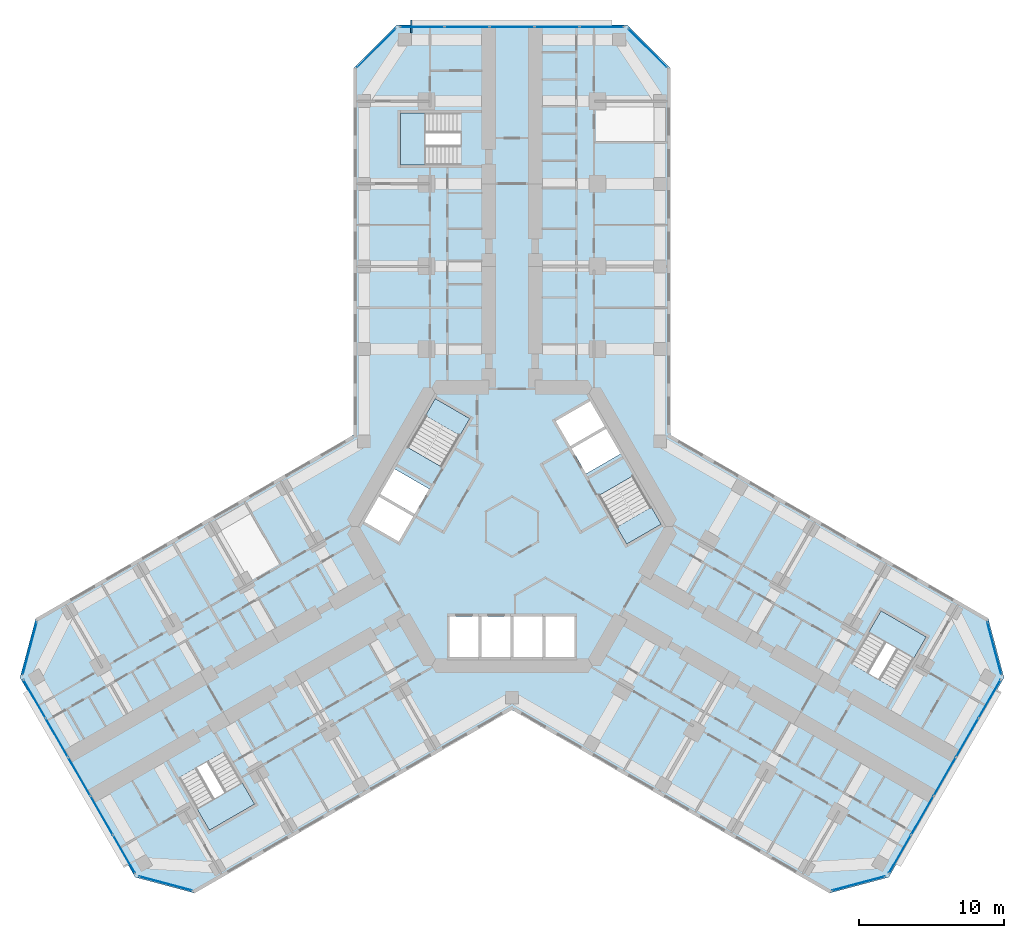
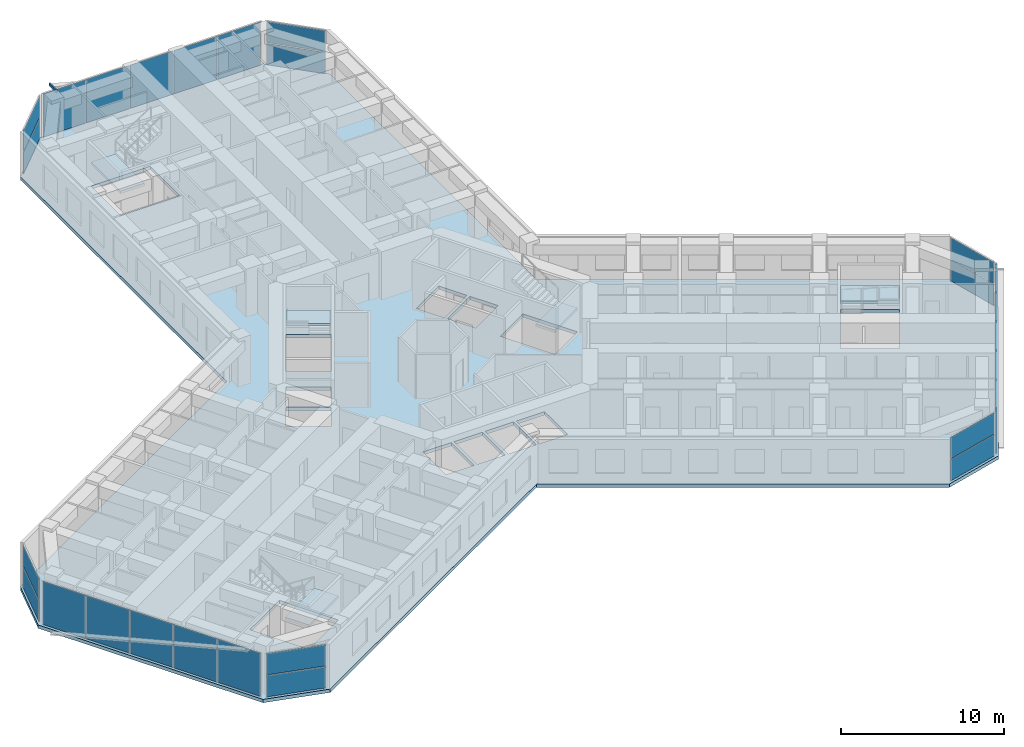
# One storey, part 9 of 22: 27 plates, 6 slabs, 1 member, 14 elements without a shape of their own.
"""IFC4 building model written with IfcOpenShell, lengths in metres."""

from ifc_helpers import new_model, si_unit, direction, frame, origin, origin_2d, place, context, subcontext, project, spatial, polyline, rectangle, hollow_rectangle, outline, extrude, material, layer, layer_set, material_profile, profile_set, type_object, element, aggregate, save


model = new_model("IFC4")

# Units and contexts
model_context = context("Model", 3, precision=1e-05, world=origin(), true_north=direction((0.0, 1.0)))
body_context = subcontext(model_context, "Body", "Model", "MODEL_VIEW")
ifc_project = project(units=[si_unit("LENGTHUNIT", "METRE"), si_unit("AREAUNIT", "SQUARE_METRE"), si_unit("VOLUMEUNIT", "CUBIC_METRE"), si_unit("PLANEANGLEUNIT", "RADIAN"), si_unit("MASSUNIT", "GRAM", prefix="KILO")], contexts=[model_context])

# Site, building, storey
site_placement = place(None, origin())
site = spatial("IfcSite", under=ifc_project, at=site_placement, CompositionType="ELEMENT")
building_placement = place(site_placement, origin())
building = spatial("IfcBuilding", under=site, at=building_placement, Name="Kosmar Iwan School Tower", CompositionType="ELEMENT")
storey_placement = place(building_placement, frame((0.0, 0.0, 91.60009765625)))
storey = spatial("IfcBuildingStorey", under=building, at=storey_placement, Name="L22", CompositionType="ELEMENT", Elevation=91.60009765625)

# Member
ifc_material_1 = material(Name="Steel S355", Category="steel")
ifc_material_profile = material_profile(ifc_material_1, hollow_rectangle(XDim=0.10009765625, YDim=0.199951171875, WallThickness=0.008056640625, at=origin_2d()), Name="RHS 200x100x8")
ifc_profile_set = profile_set([ifc_material_profile], Name="Steel S355")
member_type = type_object("IfcMemberType", Name="Fin bracket RHS 200x100", PredefinedType="USERDEFINED", material=ifc_profile_set)
member_placement = place(storey_placement, frame((-6.949951171875, 34.050048828125, 3.474853515625), z_axis=(0.0, 1.0, 0.0), x_axis=(-1.0, 0.0, 0.0)))
element("IfcMember", 1, at=member_placement, inside=storey, type_object=member_type, Name="Fin bracket L23", ObjectType="FIN BRACKET", PredefinedType="USERDEFINED", context=body_context, shape_type="SweptSolid", body=[
    extrude(hollow_rectangle(XDim=0.10009765625, YDim=0.199951171875, WallThickness=0.008056640625, at=origin_2d()), origin(), (0.0, 0.0, 1.0), 0.89990234375),
])

# Curtain wall, plates
ifc_material_2 = material(Name="Dark glass in black aluminium frame", Category="aluminium")
curtain_wall_type_1 = type_object("IfcCurtainWallType", Name="Chamfer curtain wall dark glass", PredefinedType="USERDEFINED", material=ifc_material_2)
curtain_wall_1_placement = place(storey_placement, origin())
curtain_wall_1 = element("IfcCurtainWall", 2, at=curtain_wall_1_placement, inside=storey, type_object=curtain_wall_type_1, Name="Curtain wall L22-F02", ObjectType="FACETED CURTAIN WALL", PredefinedType="USERDEFINED")
ifc_material_3 = material(Name="Dark glass", Category="glass")
ifc_layer_1 = layer(ifc_material_3, 0.028076171875)
ifc_layer_set_1 = layer_set([ifc_layer_1], Name="Dark glass panel 28")
plate_type = type_object("IfcPlateType", Name="Dark glass panel 28", PredefinedType="CURTAIN_PANEL", material=ifc_layer_set_1)
plate_1_placement = place(storey_placement, frame((23.908203125, -24.61328125, 0.059814453125), z_axis=(0.0, 0.0, 1.0), x_axis=(0.965925875495, 0.258818861462, 0.0)))
plate_1 = element("IfcPlate", 3, at=plate_1_placement, type_object=plate_type, Name="CW2 panel 1.1", PredefinedType="CURTAIN_PANEL", context=body_context, shape_type="SweptSolid", body=[
    extrude(rectangle(XDim=3.718994140625, YDim=0.028076171875, at=origin_2d()), origin(), (0.0, 0.0, 1.0), 1.5849609375),
])
plate_2_placement = place(storey_placement, frame((23.908203125, -24.61328125, 1.704833984375), z_axis=(0.0, 0.0, 1.0), x_axis=(0.965925875495, 0.258818861462, 0.0)))
plate_2 = element("IfcPlate", 4, at=plate_2_placement, type_object=plate_type, Name="CW2 panel 1.2", PredefinedType="CURTAIN_PANEL", context=body_context, shape_type="SweptSolid", body=[
    extrude(rectangle(XDim=3.718994140625, YDim=0.028076171875, at=origin_2d()), origin(), (0.0, 0.0, 1.0), 1.5849609375),
])
aggregate(curtain_wall_1, [plate_1, plate_2])

ifc_material_4 = material(Name="Dark glass in black aluminium frame", Category="aluminium")
curtain_wall_type_2 = type_object("IfcCurtainWallType", Name="Tower curtain wall dark glass", PredefinedType="USERDEFINED", material=ifc_material_4)
curtain_wall_2_placement = place(storey_placement, origin())
curtain_wall_2 = element("IfcCurtainWall", 5, at=curtain_wall_2_placement, inside=storey, type_object=curtain_wall_type_2, Name="Curtain wall L22-F03", ObjectType="UNITISED CURTAIN WALL", PredefinedType="USERDEFINED")
plate_3_placement = place(storey_placement, frame((26.764404296875, -22.592529296875, 0.059814453125), z_axis=(0.0, 0.0, 1.0), x_axis=(0.499999997325, 0.866025405329, 0.0)))
plate_3 = element("IfcPlate", 6, at=plate_3_placement, type_object=plate_type, Name="CW1 panel 1.1", PredefinedType="CURTAIN_PANEL", context=body_context, shape_type="SweptSolid", body=[
    extrude(rectangle(XDim=3.00927734375, YDim=0.028076171875, at=origin_2d()), origin(), (0.0, 0.0, 1.0), 3.22998046875),
])
plate_4_placement = place(storey_placement, frame((28.306640625, -19.921630859375, 0.059814453125), z_axis=(0.0, 0.0, 1.0), x_axis=(0.499999997325, 0.866025405329, 0.0)))
plate_4 = element("IfcPlate", 7, at=plate_4_placement, type_object=plate_type, Name="CW1 panel 2.1", PredefinedType="CURTAIN_PANEL", context=body_context, shape_type="SweptSolid", body=[
    extrude(rectangle(XDim=3.039306640625, YDim=0.028076171875, at=origin_2d()), origin(), (0.0, 0.0, 1.0), 3.22998046875),
])
plate_5_placement = place(storey_placement, frame((29.856201171875, -17.237548828125, 0.059814453125), z_axis=(0.0, 0.0, 1.0), x_axis=(0.499999997325, 0.866025405329, 0.0)))
plate_5 = element("IfcPlate", 8, at=plate_5_placement, type_object=plate_type, Name="CW1 panel 3.1", PredefinedType="CURTAIN_PANEL", context=body_context, shape_type="SweptSolid", body=[
    extrude(rectangle(XDim=3.039306640625, YDim=0.028076171875, at=origin_2d()), origin(), (0.0, 0.0, 1.0), 3.22998046875),
])
plate_6_placement = place(storey_placement, frame((31.40576171875, -14.553466796875, 0.059814453125), z_axis=(0.0, 0.0, 1.0), x_axis=(0.499999997325, 0.866025405329, 0.0)))
plate_6 = element("IfcPlate", 9, at=plate_6_placement, type_object=plate_type, Name="CW1 panel 4.1", PredefinedType="CURTAIN_PANEL", context=body_context, shape_type="SweptSolid", body=[
    extrude(rectangle(XDim=3.039306640625, YDim=0.028076171875, at=origin_2d()), origin(), (0.0, 0.0, 1.0), 3.22998046875),
])
plate_7_placement = place(storey_placement, frame((32.947998046875, -11.88232421875, 0.059814453125), z_axis=(0.0, 0.0, 1.0), x_axis=(0.499999997325, 0.866025405329, 0.0)))
plate_7 = element("IfcPlate", 10, at=plate_7_placement, type_object=plate_type, Name="CW1 panel 5.1", PredefinedType="CURTAIN_PANEL", context=body_context, shape_type="SweptSolid", body=[
    extrude(rectangle(XDim=3.00927734375, YDim=0.028076171875, at=origin_2d()), origin(), (0.0, 0.0, 1.0), 3.22998046875),
])
aggregate(curtain_wall_2, [plate_3, plate_4, plate_5, plate_6, plate_7])

curtain_wall_3_placement = place(storey_placement, origin())
curtain_wall_3 = element("IfcCurtainWall", 11, at=curtain_wall_3_placement, inside=storey, type_object=curtain_wall_type_1, Name="Curtain wall L22-F04", ObjectType="FACETED CURTAIN WALL", PredefinedType="USERDEFINED")
plate_8_placement = place(storey_placement, frame((33.269775390625, -8.3984375, 0.059814453125), z_axis=(0.0, 0.0, 1.0), x_axis=(-0.258818861462, 0.965925875495, 0.0)))
plate_8 = element("IfcPlate", 12, at=plate_8_placement, type_object=plate_type, Name="CW2 panel 1.1", PredefinedType="CURTAIN_PANEL", context=body_context, shape_type="SweptSolid", body=[
    extrude(rectangle(XDim=3.718994140625, YDim=0.028076171875, at=origin_2d()), origin(), (0.0, 0.0, 1.0), 1.5849609375),
])
plate_9_placement = place(storey_placement, frame((33.269775390625, -8.3984375, 1.704833984375), z_axis=(0.0, 0.0, 1.0), x_axis=(-0.258818861462, 0.965925875495, 0.0)))
plate_9 = element("IfcPlate", 13, at=plate_9_placement, type_object=plate_type, Name="CW2 panel 1.2", PredefinedType="CURTAIN_PANEL", context=body_context, shape_type="SweptSolid", body=[
    extrude(rectangle(XDim=3.718994140625, YDim=0.028076171875, at=origin_2d()), origin(), (0.0, 0.0, 1.0), 1.5849609375),
])
aggregate(curtain_wall_3, [plate_8, plate_9])

curtain_wall_4_placement = place(storey_placement, origin())
curtain_wall_4 = element("IfcCurtainWall", 14, at=curtain_wall_4_placement, inside=storey, type_object=curtain_wall_type_1, Name="Curtain wall L22-F07", ObjectType="FACETED CURTAIN WALL", PredefinedType="USERDEFINED")
plate_10_placement = place(storey_placement, frame((9.361572265625, 33.01171875, 0.059814453125), z_axis=(0.0, 0.0, 1.0), x_axis=(-0.707106781187, 0.707106781187, 0.0)))
plate_10 = element("IfcPlate", 15, at=plate_10_placement, type_object=plate_type, Name="CW2 panel 1.1", PredefinedType="CURTAIN_PANEL", context=body_context, shape_type="SweptSolid", body=[
    extrude(rectangle(XDim=3.718994140625, YDim=0.028076171875, at=origin_2d()), origin(), (0.0, 0.0, 1.0), 1.5849609375),
])
plate_11_placement = place(storey_placement, frame((9.361572265625, 33.01171875, 1.704833984375), z_axis=(0.0, 0.0, 1.0), x_axis=(-0.707106781187, 0.707106781187, 0.0)))
plate_11 = element("IfcPlate", 16, at=plate_11_placement, type_object=plate_type, Name="CW2 panel 1.2", PredefinedType="CURTAIN_PANEL", context=body_context, shape_type="SweptSolid", body=[
    extrude(rectangle(XDim=3.718994140625, YDim=0.028076171875, at=origin_2d()), origin(), (0.0, 0.0, 1.0), 1.5849609375),
])
aggregate(curtain_wall_4, [plate_10, plate_11])

curtain_wall_5_placement = place(storey_placement, origin())
curtain_wall_5 = element("IfcCurtainWall", 17, at=curtain_wall_5_placement, inside=storey, type_object=curtain_wall_type_2, Name="Curtain wall L22-F08", ObjectType="UNITISED CURTAIN WALL", PredefinedType="USERDEFINED")
plate_12_placement = place(storey_placement, frame((6.18359375, 34.47509765625, 0.059814453125), z_axis=(0.0, 0.0, 1.0), x_axis=(-1.0, 0.0, 0.0)))
plate_12 = element("IfcPlate", 18, at=plate_12_placement, type_object=plate_type, Name="CW1 panel 1.1", PredefinedType="CURTAIN_PANEL", context=body_context, shape_type="SweptSolid", body=[
    extrude(rectangle(XDim=3.00927734375, YDim=0.028076171875, at=origin_2d()), origin(), (0.0, 0.0, 1.0), 3.22998046875),
])
plate_13_placement = place(storey_placement, frame((3.099365234375, 34.47509765625, 0.059814453125), z_axis=(0.0, 0.0, 1.0), x_axis=(-1.0, 0.0, 0.0)))
plate_13 = element("IfcPlate", 19, at=plate_13_placement, type_object=plate_type, Name="CW1 panel 2.1", PredefinedType="CURTAIN_PANEL", context=body_context, shape_type="SweptSolid", body=[
    extrude(rectangle(XDim=3.039306640625, YDim=0.028076171875, at=origin_2d()), origin(), (0.0, 0.0, 1.0), 3.22998046875),
])
plate_14_placement = place(storey_placement, frame((0.0, 34.47509765625, 0.059814453125), z_axis=(0.0, 0.0, 1.0), x_axis=(-1.0, 0.0, 0.0)))
plate_14 = element("IfcPlate", 20, at=plate_14_placement, type_object=plate_type, Name="CW1 panel 3.1", PredefinedType="CURTAIN_PANEL", context=body_context, shape_type="SweptSolid", body=[
    extrude(rectangle(XDim=3.039306640625, YDim=0.028076171875, at=origin_2d()), origin(), (0.0, 0.0, 1.0), 3.22998046875),
])
plate_15_placement = place(storey_placement, frame((-3.099365234375, 34.47509765625, 0.059814453125), z_axis=(0.0, 0.0, 1.0), x_axis=(-1.0, 0.0, 0.0)))
plate_15 = element("IfcPlate", 21, at=plate_15_placement, type_object=plate_type, Name="CW1 panel 4.1", PredefinedType="CURTAIN_PANEL", context=body_context, shape_type="SweptSolid", body=[
    extrude(rectangle(XDim=3.039306640625, YDim=0.028076171875, at=origin_2d()), origin(), (0.0, 0.0, 1.0), 3.22998046875),
])
plate_16_placement = place(storey_placement, frame((-6.18359375, 34.47509765625, 0.059814453125), z_axis=(0.0, 0.0, 1.0), x_axis=(-1.0, 0.0, 0.0)))
plate_16 = element("IfcPlate", 22, at=plate_16_placement, type_object=plate_type, Name="CW1 panel 5.1", PredefinedType="CURTAIN_PANEL", context=body_context, shape_type="SweptSolid", body=[
    extrude(rectangle(XDim=3.00927734375, YDim=0.028076171875, at=origin_2d()), origin(), (0.0, 0.0, 1.0), 3.22998046875),
])
aggregate(curtain_wall_5, [plate_12, plate_13, plate_14, plate_15, plate_16])

curtain_wall_6_placement = place(storey_placement, origin())
curtain_wall_6 = element("IfcCurtainWall", 23, at=curtain_wall_6_placement, inside=storey, type_object=curtain_wall_type_1, Name="Curtain wall L22-F09", ObjectType="FACETED CURTAIN WALL", PredefinedType="USERDEFINED")
plate_17_placement = place(storey_placement, frame((-9.361572265625, 33.01171875, 0.059814453125), z_axis=(0.0, 0.0, 1.0), x_axis=(-0.707106781187, -0.707106781187, 0.0)))
plate_17 = element("IfcPlate", 24, at=plate_17_placement, type_object=plate_type, Name="CW2 panel 1.1", PredefinedType="CURTAIN_PANEL", context=body_context, shape_type="SweptSolid", body=[
    extrude(rectangle(XDim=3.718994140625, YDim=0.028076171875, at=origin_2d()), origin(), (0.0, 0.0, 1.0), 1.5849609375),
])
plate_18_placement = place(storey_placement, frame((-9.361572265625, 33.01171875, 1.704833984375), z_axis=(0.0, 0.0, 1.0), x_axis=(-0.707106781187, -0.707106781187, 0.0)))
plate_18 = element("IfcPlate", 25, at=plate_18_placement, type_object=plate_type, Name="CW2 panel 1.2", PredefinedType="CURTAIN_PANEL", context=body_context, shape_type="SweptSolid", body=[
    extrude(rectangle(XDim=3.718994140625, YDim=0.028076171875, at=origin_2d()), origin(), (0.0, 0.0, 1.0), 1.5849609375),
])
aggregate(curtain_wall_6, [plate_17, plate_18])

curtain_wall_7_placement = place(storey_placement, origin())
curtain_wall_7 = element("IfcCurtainWall", 26, at=curtain_wall_7_placement, inside=storey, type_object=curtain_wall_type_1, Name="Curtain wall L22-F12", ObjectType="FACETED CURTAIN WALL", PredefinedType="USERDEFINED")
plate_19_placement = place(storey_placement, frame((-33.269775390625, -8.3984375, 0.059814453125), z_axis=(0.0, 0.0, 1.0), x_axis=(-0.258818861462, -0.965925875495, 0.0)))
plate_19 = element("IfcPlate", 27, at=plate_19_placement, type_object=plate_type, Name="CW2 panel 1.1", PredefinedType="CURTAIN_PANEL", context=body_context, shape_type="SweptSolid", body=[
    extrude(rectangle(XDim=3.718994140625, YDim=0.028076171875, at=origin_2d()), origin(), (0.0, 0.0, 1.0), 1.5849609375),
])
plate_20_placement = place(storey_placement, frame((-33.269775390625, -8.3984375, 1.704833984375), z_axis=(0.0, 0.0, 1.0), x_axis=(-0.258818861462, -0.965925875495, 0.0)))
plate_20 = element("IfcPlate", 28, at=plate_20_placement, type_object=plate_type, Name="CW2 panel 1.2", PredefinedType="CURTAIN_PANEL", context=body_context, shape_type="SweptSolid", body=[
    extrude(rectangle(XDim=3.718994140625, YDim=0.028076171875, at=origin_2d()), origin(), (0.0, 0.0, 1.0), 1.5849609375),
])
aggregate(curtain_wall_7, [plate_19, plate_20])

curtain_wall_8_placement = place(storey_placement, origin())
curtain_wall_8 = element("IfcCurtainWall", 29, at=curtain_wall_8_placement, inside=storey, type_object=curtain_wall_type_2, Name="Curtain wall L22-F13", ObjectType="UNITISED CURTAIN WALL", PredefinedType="USERDEFINED")
plate_21_placement = place(storey_placement, frame((-32.947998046875, -11.88232421875, 0.059814453125), z_axis=(0.0, 0.0, 1.0), x_axis=(0.499999997325, -0.866025405329, 0.0)))
plate_21 = element("IfcPlate", 30, at=plate_21_placement, type_object=plate_type, Name="CW1 panel 1.1", PredefinedType="CURTAIN_PANEL", context=body_context, shape_type="SweptSolid", body=[
    extrude(rectangle(XDim=3.00927734375, YDim=0.028076171875, at=origin_2d()), origin(), (0.0, 0.0, 1.0), 3.22998046875),
])
plate_22_placement = place(storey_placement, frame((-31.40576171875, -14.553466796875, 0.059814453125), z_axis=(0.0, 0.0, 1.0), x_axis=(0.499999997325, -0.866025405329, 0.0)))
plate_22 = element("IfcPlate", 31, at=plate_22_placement, type_object=plate_type, Name="CW1 panel 2.1", PredefinedType="CURTAIN_PANEL", context=body_context, shape_type="SweptSolid", body=[
    extrude(rectangle(XDim=3.039306640625, YDim=0.028076171875, at=origin_2d()), origin(), (0.0, 0.0, 1.0), 3.22998046875),
])
plate_23_placement = place(storey_placement, frame((-29.856201171875, -17.237548828125, 0.059814453125), z_axis=(0.0, 0.0, 1.0), x_axis=(0.499999997325, -0.866025405329, 0.0)))
plate_23 = element("IfcPlate", 32, at=plate_23_placement, type_object=plate_type, Name="CW1 panel 3.1", PredefinedType="CURTAIN_PANEL", context=body_context, shape_type="SweptSolid", body=[
    extrude(rectangle(XDim=3.039306640625, YDim=0.028076171875, at=origin_2d()), origin(), (0.0, 0.0, 1.0), 3.22998046875),
])
plate_24_placement = place(storey_placement, frame((-28.306640625, -19.921630859375, 0.059814453125), z_axis=(0.0, 0.0, 1.0), x_axis=(0.499999997325, -0.866025405329, 0.0)))
plate_24 = element("IfcPlate", 33, at=plate_24_placement, type_object=plate_type, Name="CW1 panel 4.1", PredefinedType="CURTAIN_PANEL", context=body_context, shape_type="SweptSolid", body=[
    extrude(rectangle(XDim=3.039306640625, YDim=0.028076171875, at=origin_2d()), origin(), (0.0, 0.0, 1.0), 3.22998046875),
])
plate_25_placement = place(storey_placement, frame((-26.764404296875, -22.592529296875, 0.059814453125), z_axis=(0.0, 0.0, 1.0), x_axis=(0.499999997325, -0.866025405329, 0.0)))
plate_25 = element("IfcPlate", 34, at=plate_25_placement, type_object=plate_type, Name="CW1 panel 5.1", PredefinedType="CURTAIN_PANEL", context=body_context, shape_type="SweptSolid", body=[
    extrude(rectangle(XDim=3.00927734375, YDim=0.028076171875, at=origin_2d()), origin(), (0.0, 0.0, 1.0), 3.22998046875),
])
aggregate(curtain_wall_8, [plate_21, plate_22, plate_23, plate_24, plate_25])

curtain_wall_9_placement = place(storey_placement, origin())
curtain_wall_9 = element("IfcCurtainWall", 35, at=curtain_wall_9_placement, inside=storey, type_object=curtain_wall_type_1, Name="Curtain wall L22-F14", ObjectType="FACETED CURTAIN WALL", PredefinedType="USERDEFINED")
plate_26_placement = place(storey_placement, frame((-23.908203125, -24.61328125, 0.059814453125), z_axis=(0.0, 0.0, 1.0), x_axis=(0.965925875495, -0.258818861462, 0.0)))
plate_26 = element("IfcPlate", 36, at=plate_26_placement, type_object=plate_type, Name="CW2 panel 1.1", PredefinedType="CURTAIN_PANEL", context=body_context, shape_type="SweptSolid", body=[
    extrude(rectangle(XDim=3.718994140625, YDim=0.028076171875, at=origin_2d()), origin(), (0.0, 0.0, 1.0), 1.5849609375),
])
plate_27_placement = place(storey_placement, frame((-23.908203125, -24.61328125, 1.704833984375), z_axis=(0.0, 0.0, 1.0), x_axis=(0.965925875495, -0.258818861462, 0.0)))
plate_27 = element("IfcPlate", 37, at=plate_27_placement, type_object=plate_type, Name="CW2 panel 1.2", PredefinedType="CURTAIN_PANEL", context=body_context, shape_type="SweptSolid", body=[
    extrude(rectangle(XDim=3.718994140625, YDim=0.028076171875, at=origin_2d()), origin(), (0.0, 0.0, 1.0), 1.5849609375),
])
aggregate(curtain_wall_9, [plate_26, plate_27])

# Stair, slab
ifc_material_5 = material(Name="Concrete C35/45", Category="concrete")
stair_type_1 = type_object("IfcStairType", Name="Escape stair 3600", PredefinedType="HALF_TURN_STAIR", material=ifc_material_5)
stair_1_placement = place(storey_placement, origin())
stair_1 = element("IfcStair", 38, at=stair_1_placement, inside=storey, type_object=stair_type_1, Name="Stair WS1 L22", PredefinedType="HALF_TURN_STAIR")
ifc_material_6 = material(Name="Concrete C35/45", Category="concrete")
ifc_layer_2 = layer(ifc_material_6, 0.199951171875)
ifc_layer_set_2 = layer_set([ifc_layer_2], Name="Escape stair landing 200")
slab_type_1 = type_object("IfcSlabType", Name="Escape stair landing 200", PredefinedType="LANDING", material=ifc_layer_set_2)
slab_1_placement = place(storey_placement, frame((0.0, 0.0, 1.599853515625)))
slab_1 = element("IfcSlab", 39, at=slab_1_placement, type_object=slab_type_1, Name="WS1 landing 1", PredefinedType="LANDING", context=body_context, shape_type="SweptSolid", body=[
    extrude(outline(polyline([(-6.0, 24.949951171875), (-6.0, 28.550048828125), (-7.699951171875, 28.550048828125), (-7.699951171875, 24.949951171875), (-6.0, 24.949951171875)])), origin(), (0.0, 0.0, 1.0), 0.199951171875),
])
aggregate(stair_1, [slab_1])

stair_2_placement = place(storey_placement, origin())
stair_2 = element("IfcStair", 40, at=stair_2_placement, inside=storey, type_object=stair_type_1, Name="Stair WS2 L22", PredefinedType="HALF_TURN_STAIR")
slab_2_placement = place(storey_placement, frame((0.0, 0.0, 1.599853515625)))
slab_2 = element("IfcSlab", 41, at=slab_2_placement, type_object=slab_type_1, Name="WS2 landing 1", PredefinedType="LANDING", context=body_context, shape_type="SweptSolid", body=[
    extrude(outline(polyline([(-18.607421875, -17.671142578125), (-21.72509765625, -19.47119140625), (-20.875, -20.943359375), (-17.75732421875, -19.143310546875), (-18.607421875, -17.671142578125)])), origin(), (0.0, 0.0, 1.0), 0.199951171875),
])
aggregate(stair_2, [slab_2])

stair_3_placement = place(storey_placement, origin())
stair_3 = element("IfcStair", 42, at=stair_3_placement, inside=storey, type_object=stair_type_1, Name="Stair WS3 L22", PredefinedType="HALF_TURN_STAIR")
slab_3_placement = place(storey_placement, frame((0.0, 0.0, 1.599853515625)))
slab_3 = element("IfcSlab", 43, at=slab_3_placement, type_object=slab_type_1, Name="WS3 landing 1", PredefinedType="LANDING", context=body_context, shape_type="SweptSolid", body=[
    extrude(outline(polyline([(24.607421875, -7.27880859375), (27.72509765625, -9.078857421875), (28.574951171875, -7.606689453125), (25.457275390625, -5.806640625), (24.607421875, -7.27880859375)])), origin(), (0.0, 0.0, 1.0), 0.199951171875),
])
aggregate(stair_3, [slab_3])

# Slab
ifc_material_7 = material(Name="Concrete C35/45", Category="concrete")
ifc_layer_3 = layer(ifc_material_7, 0.25)
ifc_layer_set_3 = layer_set([ifc_layer_3], Name="Floor slab 250")
slab_type_2 = type_object("IfcSlabType", Name="Floor slab 250", PredefinedType="FLOOR", material=ifc_layer_set_3)
slab_4_placement = place(storey_placement, frame((0.0, 0.0, -0.25)))
element("IfcSlab", 44, at=slab_4_placement, inside=storey, type_object=slab_type_2, Name="L22 floor slab", PredefinedType="FLOOR", context=body_context, shape_type="SweptSolid", body=[
    extrude(outline(polyline([(-21.891357421875, -25.282958984375), (0.0, -12.64404296875), (21.891357421875, -25.282958984375), (25.989501953125, -24.184814453125), (33.939453125, -10.4150390625), (32.84130859375, -6.317138671875), (10.949951171875, 6.322021484375), (10.949951171875, 31.60009765625), (7.949951171875, 34.60009765625), (-7.949951171875, 34.60009765625), (-10.949951171875, 31.60009765625), (-10.949951171875, 6.322021484375), (-32.84130859375, -6.317138671875), (-33.939453125, -10.4150390625), (-25.989501953125, -24.184814453125), (-21.891357421875, -25.282958984375)]), holes=[polyline([(7.91259765625, -1.205078125), (10.294189453125, 0.169921875), (8.3642578125, 3.5126953125), (5.982666015625, 2.1376953125), (7.91259765625, -1.205078125)]), polyline([(-2.91259765625, 7.455078125), (-5.294189453125, 8.830078125), (-7.22412109375, 5.4873046875), (-4.8427734375, 4.1123046875), (-2.91259765625, 7.455078125)]), polyline([(-5.712646484375, 2.60546875), (-8.09423828125, 3.98046875), (-9.09423828125, 2.248291015625), (-6.712646484375, 0.873291015625), (-5.712646484375, 2.60546875)]), polyline([(-6.812744140625, 0.7001953125), (-9.1943359375, 2.0751953125), (-10.1943359375, 0.343017578125), (-7.812744140625, -1.031982421875), (-6.812744140625, 0.7001953125)]), polyline([(5.112548828125, 3.64453125), (7.494140625, 5.01953125), (6.494140625, 6.751708984375), (4.112548828125, 5.376708984375), (5.112548828125, 3.64453125)]), polyline([(4.0126953125, 5.5498046875), (6.394287109375, 6.9248046875), (5.394287109375, 8.656982421875), (3.0126953125, 7.281982421875), (4.0126953125, 5.5498046875)]), polyline([(-4.300048828125, -6.199951171875), (-4.300048828125, -9.0), (-2.300048828125, -9.0), (-2.300048828125, -6.199951171875), (-4.300048828125, -6.199951171875)]), polyline([(-2.10009765625, -6.199951171875), (-2.10009765625, -9.0), (-0.10009765625, -9.0), (-0.10009765625, -6.199951171875), (-2.10009765625, -6.199951171875)]), polyline([(0.10009765625, -6.199951171875), (0.10009765625, -9.0), (2.10009765625, -9.0), (2.10009765625, -6.199951171875), (0.10009765625, -6.199951171875)]), polyline([(2.300048828125, -6.199951171875), (2.300048828125, -9.0), (4.300048828125, -9.0), (4.300048828125, -6.199951171875), (2.300048828125, -6.199951171875)]), polyline([(-3.52001953125, 24.949951171875), (-3.52001953125, 28.550048828125), (-7.699951171875, 28.550048828125), (-7.699951171875, 24.949951171875), (-3.52001953125, 24.949951171875)]), polyline([(-19.847412109375, -15.5234375), (-22.965087890625, -17.323486328125), (-20.875, -20.943359375), (-17.75732421875, -19.143310546875), (-19.847412109375, -15.5234375)]), polyline([(23.367431640625, -9.426513671875), (26.485107421875, -11.2265625), (28.574951171875, -7.606689453125), (25.457275390625, -5.806640625), (23.367431640625, -9.426513671875)])]), origin(), (0.0, 0.0, 1.0), 0.25),
])

# Stair, slab
ifc_material_8 = material(Name="Concrete C35/45", Category="concrete")
stair_type_2 = type_object("IfcStairType", Name="Core stair 2750", PredefinedType="HALF_TURN_STAIR", material=ifc_material_8)
stair_4_placement = place(storey_placement, origin())
stair_4 = element("IfcStair", 45, at=stair_4_placement, inside=storey, type_object=stair_type_2, Name="Stair ST2 L22", PredefinedType="HALF_TURN_STAIR")
ifc_material_9 = material(Name="Concrete C35/45", Category="concrete")
ifc_layer_4 = layer(ifc_material_9, 0.199951171875)
ifc_layer_set_4 = layer_set([ifc_layer_4], Name="Stair landing 200")
slab_type_3 = type_object("IfcSlabType", Name="Stair landing 200", PredefinedType="LANDING", material=ifc_layer_set_4)
slab_5_placement = place(storey_placement, frame((0.0, 0.0, 1.599853515625)))
slab_5 = element("IfcSlab", 46, at=slab_5_placement, type_object=slab_type_3, Name="ST2 landing 1", PredefinedType="LANDING", context=body_context, shape_type="SweptSolid", body=[
    extrude(outline(polyline([(-2.91259765625, 7.455078125), (-5.294189453125, 8.830078125), (-5.97412109375, 7.65234375), (-3.5927734375, 6.27734375), (-2.91259765625, 7.455078125)])), origin(), (0.0, 0.0, 1.0), 0.199951171875),
])
aggregate(stair_4, [slab_5])

stair_5_placement = place(storey_placement, origin())
stair_5 = element("IfcStair", 47, at=stair_5_placement, inside=storey, type_object=stair_type_2, Name="Stair ST1 L22", PredefinedType="HALF_TURN_STAIR")
slab_6_placement = place(storey_placement, frame((0.0, 0.0, 1.599853515625)))
slab_6 = element("IfcSlab", 48, at=slab_6_placement, type_object=slab_type_3, Name="ST1 landing 1", PredefinedType="LANDING", context=body_context, shape_type="SweptSolid", body=[
    extrude(outline(polyline([(7.91259765625, -1.205078125), (10.294189453125, 0.169921875), (9.6142578125, 1.34765625), (7.232666015625, -0.02734375), (7.91259765625, -1.205078125)])), origin(), (0.0, 0.0, 1.0), 0.199951171875),
])
aggregate(stair_5, [slab_6])

save(model, "model.ifc")
